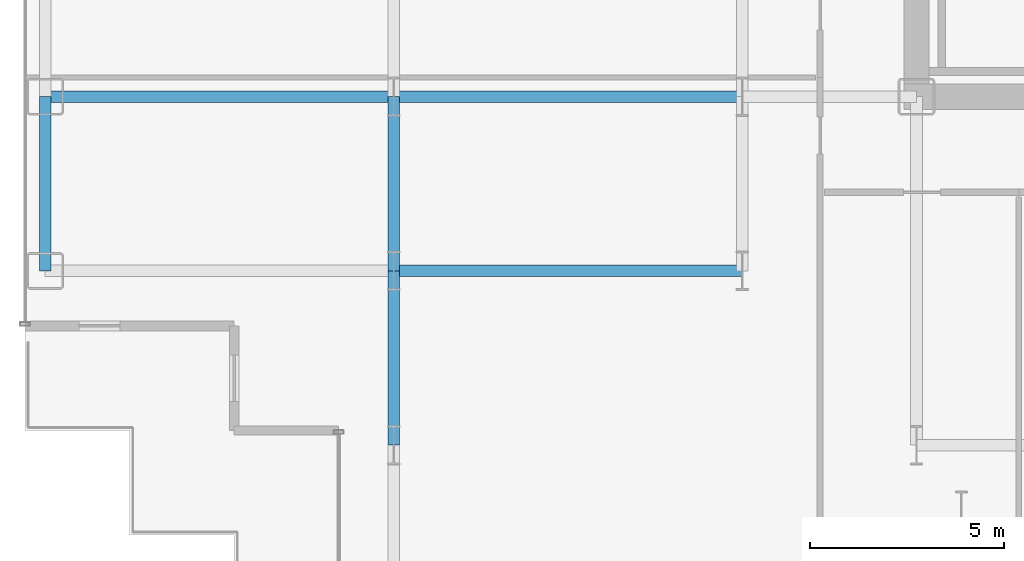
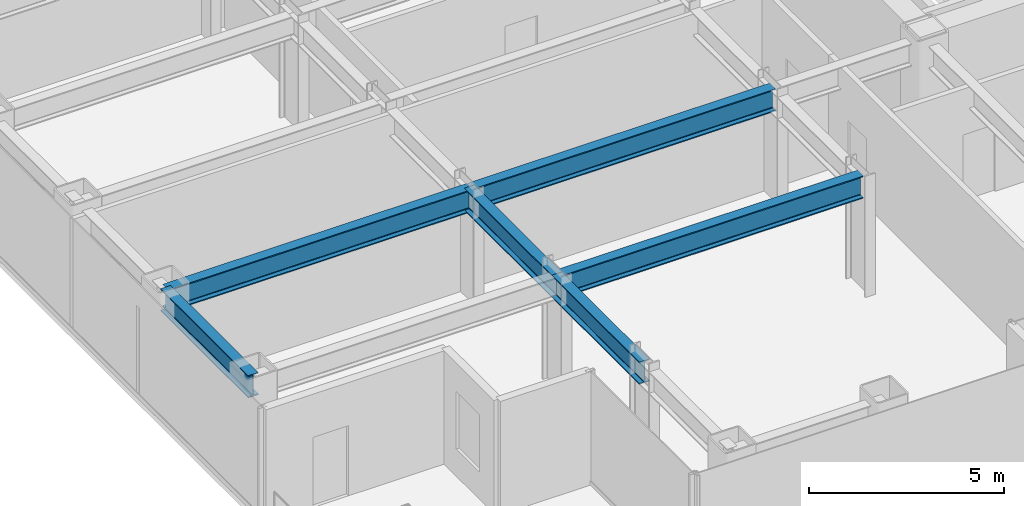
# One storey, part 3 of 27: 6 beams.
"""IFC4 building model written with IfcOpenShell, lengths in metres."""

from ifc_helpers import new_model, si_unit, direction, frame, origin, origin_2d, place, context, subcontext, project, spatial, i_section, extrude, source, transform, mapped, material, material_profile, profile_set, type_object, element, save


model = new_model("IFC4")

# Units and contexts
model_context = context("Model", 3, precision=1e-05, world=origin(), true_north=direction((0.0, 1.0)))
body_context = subcontext(model_context, "Body", "Model", "MODEL_VIEW")
ifc_project = project(units=[si_unit("LENGTHUNIT", "METRE"), si_unit("AREAUNIT", "SQUARE_METRE"), si_unit("VOLUMEUNIT", "CUBIC_METRE"), si_unit("PLANEANGLEUNIT", "RADIAN"), si_unit("MASSUNIT", "GRAM", prefix="KILO")], contexts=[model_context])

# Site, building, storey
site_placement = place(None, origin())
site = spatial("IfcSite", under=ifc_project, at=site_placement, CompositionType="ELEMENT")
building_placement = place(site_placement, origin())
building = spatial("IfcBuilding", under=site, at=building_placement, Name="Nefas-Gora Pilgrimage Tower", CompositionType="ELEMENT")
storey_placement = place(building_placement, frame((0.0, 0.0, 48.199951171875)))
storey = spatial("IfcBuildingStorey", under=building, at=storey_placement, Name="L10", CompositionType="ELEMENT", Elevation=48.199951171875)

# Beams
ifc_material = material(Name="Steel S355", Category="steel")
ifc_material_profile_1 = material_profile(ifc_material, i_section(OverallWidth=0.300048828125, OverallDepth=0.699951171875, WebThickness=0.01708984375, FlangeThickness=0.031982421875, FilletRadius=0.027099609375, at=origin_2d()), Name="HEB 700")
ifc_profile_set_1 = profile_set([ifc_material_profile_1], Name="Steel S355")
beam_type_1 = type_object("IfcBeamType", Name="BM-SPN-HEB600", PredefinedType="SPANDREL", material=ifc_profile_set_1)
shared_shape_1 = source(origin(), body_context, "Body", "SweptSolid", [
    extrude(i_section(OverallWidth=0.300048828125, OverallDepth=0.699951171875, WebThickness=0.01708984375, FlangeThickness=0.031982421875, FilletRadius=0.027099609375, at=origin_2d()), origin(), (0.0, 0.0, 1.0), 4.5),
])
beam_placement = place(storey_placement, frame((-33.75, -13.5, 3.199951171875), z_axis=(0.0, 1.0, 0.0), x_axis=(-1.0, 0.0, 0.0)))
element("IfcBeam", 1, at=beam_placement, inside=storey, type_object=beam_type_1, Name="L10 SP-01 beam", PredefinedType="SPANDREL", context=body_context, shape_type="MappedRepresentation", body=[
    mapped(shared_shape_1, transform((0.0, 0.0, 0.0), x_axis=(1.0, 0.0, 0.0), y_axis=(0.0, 1.0, 0.0), z_axis=(0.0, 0.0, 1.0), scale=1.0)),
])
ifc_material_profile_2 = material_profile(ifc_material, i_section(OverallWidth=0.300048828125, OverallDepth=0.699951171875, WebThickness=0.01708984375, FlangeThickness=0.031982421875, FilletRadius=0.027099609375, at=origin_2d()), Name="HEB 700")
ifc_profile_set_2 = profile_set([ifc_material_profile_2], Name="Steel S355")
beam_type_2 = type_object("IfcBeamType", Name="BM-GIR-HEB700", PredefinedType="BEAM", material=ifc_profile_set_2)
shared_shape_2 = source(origin(), body_context, "Body", "SweptSolid", [
    extrude(i_section(OverallWidth=0.300048828125, OverallDepth=0.699951171875, WebThickness=0.01708984375, FlangeThickness=0.031982421875, FilletRadius=0.027099609375, at=origin_2d()), origin(), (0.0, 0.0, 1.0), 9.0),
])
for number, where, z_axis, x_axis, name in (
    (2, (-33.75, -9.0, 3.199951171875), (1.0, 0.0, 0.0), (0.0, 1.0, 0.0), "L10 G-02 beam"),
    (3, (-24.75, -13.5, 3.199951171875), (1.0, 0.0, 0.0), (0.0, 1.0, 0.0), "L10 G-02 beam"),
    (4, (-24.75, -9.0, 3.199951171875), (1.0, 0.0, 0.0), (0.0, 1.0, 0.0), "L10 G-02 beam"),
):
    element("IfcBeam", number, at=place(storey_placement, frame(where, z_axis=z_axis, x_axis=x_axis)), inside=storey, type_object=beam_type_2, Name=name, PredefinedType="BEAM", context=body_context, shape_type="MappedRepresentation", body=[
        mapped(shared_shape_2, transform((0.0, 0.0, 0.0), x_axis=(1.0, 0.0, 0.0), y_axis=(0.0, 1.0, 0.0), z_axis=(0.0, 0.0, 1.0), scale=1.0)),
    ])
shared_shape_3 = source(origin(), body_context, "Body", "SweptSolid", [
    extrude(i_section(OverallWidth=0.300048828125, OverallDepth=0.699951171875, WebThickness=0.01708984375, FlangeThickness=0.031982421875, FilletRadius=0.027099609375, at=origin_2d()), origin(), (0.0, 0.0, 1.0), 4.5),
])
for number, where, z_axis, x_axis, name in (
    (5, (-24.75, -18.0, 3.199951171875), (0.0, 1.0, 0.0), (-1.0, 0.0, 0.0), "L10 G-02 beam"),
    (6, (-24.75, -13.5, 3.199951171875), (0.0, 1.0, 0.0), (-1.0, 0.0, 0.0), "L10 G-02 beam"),
):
    element("IfcBeam", number, at=place(storey_placement, frame(where, z_axis=z_axis, x_axis=x_axis)), inside=storey, type_object=beam_type_2, Name=name, PredefinedType="BEAM", context=body_context, shape_type="MappedRepresentation", body=[
        mapped(shared_shape_3, transform((0.0, 0.0, 0.0), x_axis=(1.0, 0.0, 0.0), y_axis=(0.0, 1.0, 0.0), z_axis=(0.0, 0.0, 1.0), scale=1.0)),
    ])

save(model, "model.ifc")
